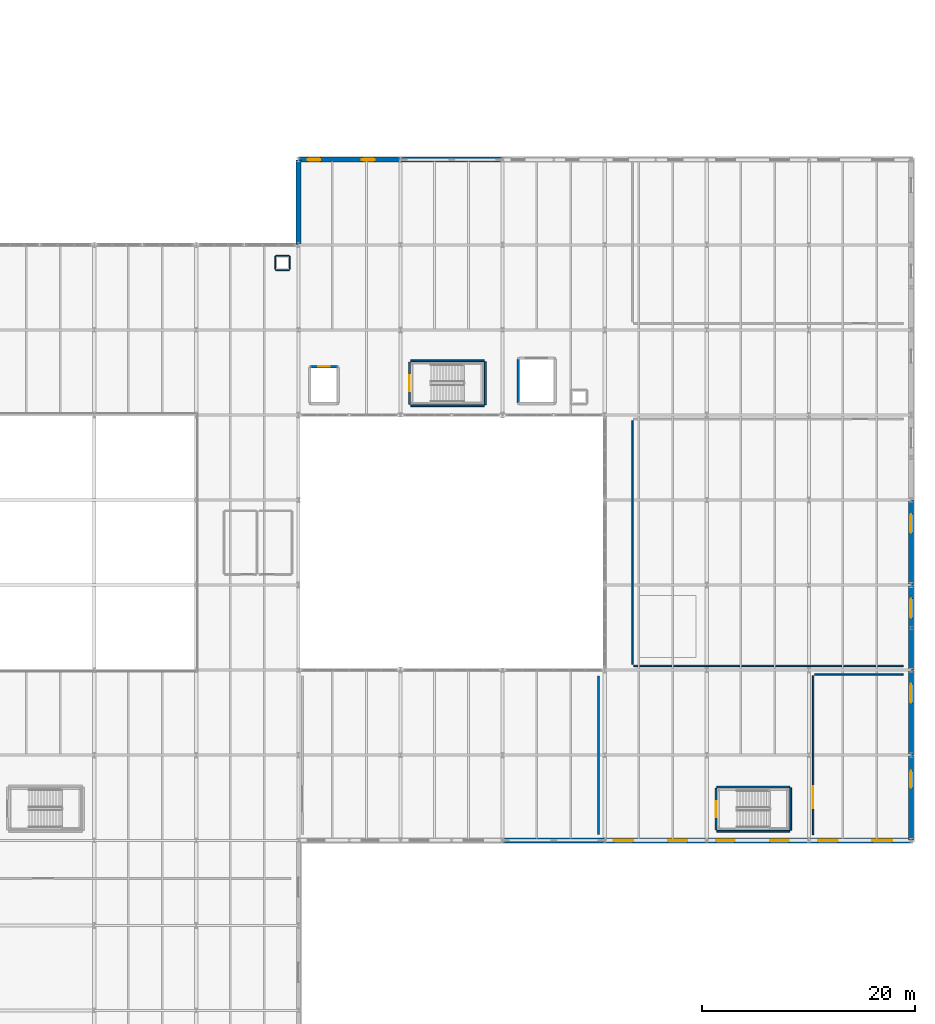
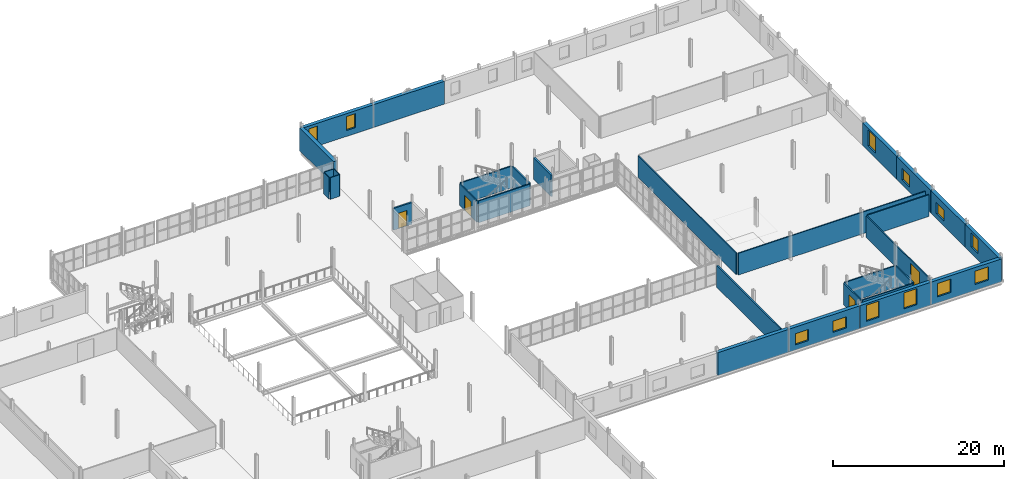
# One storey, part 64 of 78: 30 walls, 12 windows, 4 doors, 16 openings.
"""IFC4 building model written with IfcOpenShell, lengths in metres."""

from ifc_helpers import new_model, si_unit, direction, frame, frame_2d, origin, place, context, subcontext, project, spatial, rectangle, extrude, material, layer, layer_set, type_object, element, fill, save


model = new_model("IFC4")

# Units and contexts
model_context = context("Model", 3, precision=1e-05, world=origin(), true_north=direction((0.0, 1.0)))
body_context = subcontext(model_context, "Body", "Model", "MODEL_VIEW")
ifc_project = project(units=[si_unit("LENGTHUNIT", "METRE"), si_unit("AREAUNIT", "SQUARE_METRE"), si_unit("VOLUMEUNIT", "CUBIC_METRE"), si_unit("PLANEANGLEUNIT", "RADIAN"), si_unit("MASSUNIT", "GRAM", prefix="KILO")], contexts=[model_context])

# Site, building, storey
site_placement = place(None, origin())
site = spatial("IfcSite", under=ifc_project, at=site_placement, CompositionType="ELEMENT")
building_placement = place(site_placement, origin())
building = spatial("IfcBuilding", under=site, at=building_placement, Name="Alderhovde Museum", CompositionType="ELEMENT")
storey_placement = place(building_placement, frame((0.0, 0.0, 4.5)))
storey = spatial("IfcBuildingStorey", under=building, at=storey_placement, Name="L01", CompositionType="ELEMENT", Elevation=4.5)

# Wall
ifc_material_1 = material(Name="Nordic Granite Ashlar on Concrete C35/45", Category="masonry")
ifc_layer_1 = layer(ifc_material_1, 0.47998046875)
ifc_layer_set_1 = layer_set([ifc_layer_1], Name="Nordic Granite Ashlar on Concrete C35/45")
wall_type_1 = type_object("IfcWallType", Name="EW-GRAN-480", PredefinedType="SOLIDWALL", material=ifc_layer_set_1)
wall_1_placement = place(storey_placement, frame((134.419921875, 32.0, 0.0), z_axis=(0.0, 0.0, 1.0), x_axis=(1.0, 0.0, 0.0)))
element("IfcWall", 1, at=wall_1_placement, inside=storey, type_object=wall_type_1, Name="L01 Conservation South Beaux-Arts Wall 196", PredefinedType="SOLIDWALL", context=body_context, shape_type="SweptSolid", body=[
    extrude(rectangle(XDim=9.56005859375, YDim=0.47998046875, at=frame_2d((4.780029296875, 0.0))), origin(), (0.0, 0.0, 1.0), 3.260009765625),
])

# Wall, openings, windows
wall_2_placement = place(storey_placement, frame((144.02001953125, 32.0, 0.0), z_axis=(0.0, 0.0, 1.0), x_axis=(1.0, 0.0, 0.0)))
wall_2 = element("IfcWall", 2, at=wall_2_placement, inside=storey, type_object=wall_type_1, Name="L01 Conservation South Beaux-Arts Wall 197", PredefinedType="SOLIDWALL", context=body_context, shape_type="SweptSolid", body=[
    extrude(rectangle(XDim=9.56005859375, YDim=0.47998046875, at=frame_2d((4.780029296875, 0.0))), origin(), (0.0, 0.0, 1.0), 3.260009765625),
])
opening_1_placement = place(wall_2_placement, frame((0.85009765625, 0.0, 0.719970703125)))
opening_1 = element("IfcOpeningElement", 3, at=opening_1_placement, cuts=wall_2, Name="Opening W13", PredefinedType="OPENING", context=body_context, shape_type="SweptSolid", body=[
    extrude(rectangle(XDim=1.800048828125, YDim=1.60009765625, at=frame_2d((0.89990234375, 0.800048828125))), frame((0.0, 0.25, 0.0), z_axis=(0.0, -1.0, 0.0), x_axis=(1.0, 0.0, 0.0)), (0.0, 0.0, 1.0), 0.5),
])
opening_2_placement = place(wall_2_placement, frame((5.949951171875, 0.0, 0.719970703125)))
opening_2 = element("IfcOpeningElement", 4, at=opening_2_placement, cuts=wall_2, Name="Opening W13", PredefinedType="OPENING", context=body_context, shape_type="SweptSolid", body=[
    extrude(rectangle(XDim=1.800048828125, YDim=1.60009765625, at=frame_2d((0.89990234375, 0.800048828125))), frame((0.0, 0.25, 0.0), z_axis=(0.0, -1.0, 0.0), x_axis=(1.0, 0.0, 0.0)), (0.0, 0.0, 1.0), 0.5),
])
ifc_material_2 = material(Name="Triple-Glazed Low-E Bronze-Anodised Aluminium", Category="aluminium")
window_type_1 = type_object("IfcWindowType", Name="WIN-ATT-1800x1600", PartitioningType="DOUBLE_PANEL_VERTICAL", PredefinedType="WINDOW", material=ifc_material_2)
window_1_placement = place(opening_1_placement, origin())
window_1 = element("IfcWindow", 5, at=window_1_placement, inside=storey, type_object=window_type_1, Name="L01 Facade Window 171", OverallHeight=1.60009765625, OverallWidth=1.800048828125, PartitioningType="SINGLE_PANEL", PredefinedType="WINDOW", context=body_context, shape_type="SweptSolid", body=[
    extrude(rectangle(XDim=1.800048828125, YDim=1.60009765625, at=frame_2d((0.89990234375, 0.800048828125))), frame((0.0, 0.030029296875, 0.0), z_axis=(0.0, -1.0, 0.0), x_axis=(1.0, 0.0, 0.0)), (0.0, 0.0, 1.0), 0.06005859375),
])
fill(opening_1, window_1)
window_2_placement = place(opening_2_placement, origin())
window_2 = element("IfcWindow", 6, at=window_2_placement, inside=storey, type_object=window_type_1, Name="L01 Facade Window 172", OverallHeight=1.60009765625, OverallWidth=1.800048828125, PartitioningType="SINGLE_PANEL", PredefinedType="WINDOW", context=body_context, shape_type="SweptSolid", body=[
    extrude(rectangle(XDim=1.800048828125, YDim=1.60009765625, at=frame_2d((0.89990234375, 0.800048828125))), frame((0.0, 0.030029296875, 0.0), z_axis=(0.0, -1.0, 0.0), x_axis=(1.0, 0.0, 0.0)), (0.0, 0.0, 1.0), 0.06005859375),
])
fill(opening_2, window_2)

wall_3_placement = place(storey_placement, frame((153.6201171875, 32.0, 0.0), z_axis=(0.0, 0.0, 1.0), x_axis=(1.0, 0.0, 0.0)))
wall_3 = element("IfcWall", 7, at=wall_3_placement, inside=storey, type_object=wall_type_1, Name="L01 Conservation South Beaux-Arts Wall 198", PredefinedType="SOLIDWALL", context=body_context, shape_type="SweptSolid", body=[
    extrude(rectangle(XDim=9.559814453125, YDim=0.47998046875, at=frame_2d((4.77978515625, 0.0))), origin(), (0.0, 0.0, 1.0), 3.260009765625),
])
opening_3_placement = place(wall_3_placement, frame((0.85009765625, 0.0, 0.719970703125)))
opening_3 = element("IfcOpeningElement", 8, at=opening_3_placement, cuts=wall_3, Name="Opening W26", PredefinedType="OPENING", context=body_context, shape_type="SweptSolid", body=[
    extrude(rectangle(XDim=1.75, YDim=2.300048828125, at=frame_2d((0.875, 1.14990234375))), frame((0.0, 0.25, 0.0), z_axis=(0.0, -1.0, 0.0), x_axis=(1.0, 0.0, 0.0)), (0.0, 0.0, 1.0), 0.5),
])
opening_4_placement = place(wall_3_placement, frame((5.949951171875, 0.0, 0.719970703125)))
opening_4 = element("IfcOpeningElement", 9, at=opening_4_placement, cuts=wall_3, Name="Opening W26", PredefinedType="OPENING", context=body_context, shape_type="SweptSolid", body=[
    extrude(rectangle(XDim=1.75, YDim=2.300048828125, at=frame_2d((0.875, 1.14990234375))), frame((0.0, 0.25, 0.0), z_axis=(0.0, -1.0, 0.0), x_axis=(1.0, 0.0, 0.0)), (0.0, 0.0, 1.0), 0.5),
])
ifc_material_3 = material(Name="Triple-Glazed Low-E Bronze-Anodised Aluminium", Category="aluminium")
window_type_2 = type_object("IfcWindowType", Name="WIN-BA-1750x2300", PartitioningType="DOUBLE_PANEL_VERTICAL", PredefinedType="WINDOW", material=ifc_material_3)
window_3_placement = place(opening_3_placement, origin())
window_3 = element("IfcWindow", 10, at=window_3_placement, inside=storey, type_object=window_type_2, Name="L01 Facade Window 173", OverallHeight=2.300048828125, OverallWidth=1.75, PartitioningType="SINGLE_PANEL", PredefinedType="WINDOW", context=body_context, shape_type="SweptSolid", body=[
    extrude(rectangle(XDim=1.75, YDim=2.300048828125, at=frame_2d((0.875, 1.14990234375))), frame((0.0, 0.030029296875, 0.0), z_axis=(0.0, -1.0, 0.0), x_axis=(1.0, 0.0, 0.0)), (0.0, 0.0, 1.0), 0.06005859375),
])
fill(opening_3, window_3)
window_4_placement = place(opening_4_placement, origin())
window_4 = element("IfcWindow", 11, at=window_4_placement, inside=storey, type_object=window_type_2, Name="L01 Facade Window 174", OverallHeight=2.300048828125, OverallWidth=1.75, PartitioningType="SINGLE_PANEL", PredefinedType="WINDOW", context=body_context, shape_type="SweptSolid", body=[
    extrude(rectangle(XDim=1.75, YDim=2.300048828125, at=frame_2d((0.875, 1.14990234375))), frame((0.0, 0.030029296875, 0.0), z_axis=(0.0, -1.0, 0.0), x_axis=(1.0, 0.0, 0.0)), (0.0, 0.0, 1.0), 0.06005859375),
])
fill(opening_4, window_4)

wall_4_placement = place(storey_placement, frame((163.219970703125, 32.0, 0.0), z_axis=(0.0, 0.0, 1.0), x_axis=(1.0, 0.0, 0.0)))
wall_4 = element("IfcWall", 12, at=wall_4_placement, inside=storey, type_object=wall_type_1, Name="L01 Conservation South Beaux-Arts Wall 199", PredefinedType="SOLIDWALL", context=body_context, shape_type="SweptSolid", body=[
    extrude(rectangle(XDim=9.56005859375, YDim=0.47998046875, at=frame_2d((4.780029296875, 0.0))), origin(), (0.0, 0.0, 1.0), 3.260009765625),
])
opening_5_placement = place(wall_4_placement, frame((0.85009765625, 0.0, 0.85009765625)))
opening_5 = element("IfcOpeningElement", 13, at=opening_5_placement, cuts=wall_4, Name="Opening W27", PredefinedType="OPENING", context=body_context, shape_type="SweptSolid", body=[
    extrude(rectangle(XDim=1.85009765625, YDim=1.89990234375, at=frame_2d((0.925048828125, 0.949951171875))), frame((0.0, 0.25, 0.0), z_axis=(0.0, -1.0, 0.0), x_axis=(1.0, 0.0, 0.0)), (0.0, 0.0, 1.0), 0.5),
])
opening_6_placement = place(wall_4_placement, frame((5.949951171875, 0.0, 0.85009765625)))
opening_6 = element("IfcOpeningElement", 14, at=opening_6_placement, cuts=wall_4, Name="Opening W27", PredefinedType="OPENING", context=body_context, shape_type="SweptSolid", body=[
    extrude(rectangle(XDim=1.85009765625, YDim=1.89990234375, at=frame_2d((0.925048828125, 0.949951171875))), frame((0.0, 0.25, 0.0), z_axis=(0.0, -1.0, 0.0), x_axis=(1.0, 0.0, 0.0)), (0.0, 0.0, 1.0), 0.5),
])
ifc_material_4 = material(Name="Triple-Glazed Low-E Bronze-Anodised Aluminium", Category="aluminium")
window_type_3 = type_object("IfcWindowType", Name="WIN-LAB-1850x1900", PartitioningType="DOUBLE_PANEL_VERTICAL", PredefinedType="WINDOW", material=ifc_material_4)
window_5_placement = place(opening_5_placement, origin())
window_5 = element("IfcWindow", 15, at=window_5_placement, inside=storey, type_object=window_type_3, Name="L01 Facade Window 175", OverallHeight=1.89990234375, OverallWidth=1.85009765625, PartitioningType="SINGLE_PANEL", PredefinedType="WINDOW", context=body_context, shape_type="SweptSolid", body=[
    extrude(rectangle(XDim=1.85009765625, YDim=1.89990234375, at=frame_2d((0.925048828125, 0.949951171875))), frame((0.0, 0.030029296875, 0.0), z_axis=(0.0, -1.0, 0.0), x_axis=(1.0, 0.0, 0.0)), (0.0, 0.0, 1.0), 0.06005859375),
])
fill(opening_5, window_5)
window_6_placement = place(opening_6_placement, origin())
window_6 = element("IfcWindow", 16, at=window_6_placement, inside=storey, type_object=window_type_3, Name="L01 Facade Window 176", OverallHeight=1.89990234375, OverallWidth=1.85009765625, PartitioningType="SINGLE_PANEL", PredefinedType="WINDOW", context=body_context, shape_type="SweptSolid", body=[
    extrude(rectangle(XDim=1.85009765625, YDim=1.89990234375, at=frame_2d((0.925048828125, 0.949951171875))), frame((0.0, 0.030029296875, 0.0), z_axis=(0.0, -1.0, 0.0), x_axis=(1.0, 0.0, 0.0)), (0.0, 0.0, 1.0), 0.06005859375),
])
fill(opening_6, window_6)

wall_5_placement = place(storey_placement, frame((115.219970703125, 96.0, 0.0), z_axis=(0.0, 0.0, 1.0), x_axis=(1.0, 0.0, 0.0)))
wall_5 = element("IfcWall", 17, at=wall_5_placement, inside=storey, type_object=wall_type_1, Name="L01 Conservation North Beaux-Arts Wall 200", PredefinedType="SOLIDWALL", context=body_context, shape_type="SweptSolid", body=[
    extrude(rectangle(XDim=9.56005859375, YDim=0.47998046875, at=frame_2d((4.780029296875, 0.0))), origin(), (0.0, 0.0, 1.0), 3.260009765625),
])
opening_7_placement = place(wall_5_placement, frame((0.85009765625, 0.0, 0.85009765625)))
opening_7 = element("IfcOpeningElement", 18, at=opening_7_placement, cuts=wall_5, Name="Opening W18", PredefinedType="OPENING", context=body_context, shape_type="SweptSolid", body=[
    extrude(rectangle(XDim=1.199951171875, YDim=2.0, at=frame_2d((0.60009765625, 1.0))), frame((0.0, 0.25, 0.0), z_axis=(0.0, -1.0, 0.0), x_axis=(1.0, 0.0, 0.0)), (0.0, 0.0, 1.0), 0.5),
])
opening_8_placement = place(wall_5_placement, frame((5.949951171875, 0.0, 0.85009765625)))
opening_8 = element("IfcOpeningElement", 19, at=opening_8_placement, cuts=wall_5, Name="Opening W18", PredefinedType="OPENING", context=body_context, shape_type="SweptSolid", body=[
    extrude(rectangle(XDim=1.199951171875, YDim=2.0, at=frame_2d((0.60009765625, 1.0))), frame((0.0, 0.25, 0.0), z_axis=(0.0, -1.0, 0.0), x_axis=(1.0, 0.0, 0.0)), (0.0, 0.0, 1.0), 0.5),
])
ifc_material_5 = material(Name="Triple-Glazed Low-E Bronze-Anodised Aluminium", Category="aluminium")
window_type_4 = type_object("IfcWindowType", Name="WIN-LAB-1200x2000", PartitioningType="SINGLE_PANEL", PredefinedType="WINDOW", material=ifc_material_5)
window_7_placement = place(opening_7_placement, origin())
window_7 = element("IfcWindow", 20, at=window_7_placement, inside=storey, type_object=window_type_4, Name="L01 Facade Window 177", OverallHeight=2.0, OverallWidth=1.199951171875, PartitioningType="SINGLE_PANEL", PredefinedType="WINDOW", context=body_context, shape_type="SweptSolid", body=[
    extrude(rectangle(XDim=1.199951171875, YDim=2.0, at=frame_2d((0.60009765625, 1.0))), frame((0.0, 0.030029296875, 0.0), z_axis=(0.0, -1.0, 0.0), x_axis=(1.0, 0.0, 0.0)), (0.0, 0.0, 1.0), 0.06005859375),
])
fill(opening_7, window_7)
window_8_placement = place(opening_8_placement, origin())
window_8 = element("IfcWindow", 21, at=window_8_placement, inside=storey, type_object=window_type_4, Name="L01 Facade Window 178", OverallHeight=2.0, OverallWidth=1.199951171875, PartitioningType="SINGLE_PANEL", PredefinedType="WINDOW", context=body_context, shape_type="SweptSolid", body=[
    extrude(rectangle(XDim=1.199951171875, YDim=2.0, at=frame_2d((0.60009765625, 1.0))), frame((0.0, 0.030029296875, 0.0), z_axis=(0.0, -1.0, 0.0), x_axis=(1.0, 0.0, 0.0)), (0.0, 0.0, 1.0), 0.06005859375),
])
fill(opening_8, window_8)

# Wall
wall_6_placement = place(storey_placement, frame((124.820068359375, 96.0, 0.0), z_axis=(0.0, 0.0, 1.0), x_axis=(1.0, 0.0, 0.0)))
element("IfcWall", 22, at=wall_6_placement, inside=storey, type_object=wall_type_1, Name="L01 Conservation North Beaux-Arts Wall 201", PredefinedType="SOLIDWALL", context=body_context, shape_type="SweptSolid", body=[
    extrude(rectangle(XDim=9.559814453125, YDim=0.47998046875, at=frame_2d((4.77978515625, 0.0))), origin(), (0.0, 0.0, 1.0), 3.260009765625),
])

# Wall, opening, window
wall_7_placement = place(storey_placement, frame((172.800048828125, 32.02001953125, 0.0), z_axis=(0.0, 0.0, 1.0), x_axis=(0.0, 1.0, 0.0)))
wall_7 = element("IfcWall", 23, at=wall_7_placement, inside=storey, type_object=wall_type_1, Name="L01 Conservation East Hillside Wall 206", PredefinedType="SOLIDWALL", context=body_context, shape_type="SweptSolid", body=[
    extrude(rectangle(XDim=7.9599609375, YDim=0.47998046875, at=frame_2d((3.97998046875, 0.0))), origin(), (0.0, 0.0, 1.0), 3.260009765625),
])
opening_9_placement = place(wall_7_placement, frame((4.89990234375, 0.0, 0.89990234375)))
opening_9 = element("IfcOpeningElement", 24, at=opening_9_placement, cuts=wall_7, Name="Opening W17", PredefinedType="OPENING", context=body_context, shape_type="SweptSolid", body=[
    extrude(rectangle(XDim=1.60009765625, YDim=2.0, at=frame_2d((0.800048828125, 1.0))), frame((0.0, 0.25, 0.0), z_axis=(0.0, -1.0, 0.0), x_axis=(1.0, 0.0, 0.0)), (0.0, 0.0, 1.0), 0.5),
])
ifc_material_6 = material(Name="Triple-Glazed Low-E Bronze-Anodised Aluminium", Category="aluminium")
window_type_5 = type_object("IfcWindowType", Name="WIN-LAB-1600x2000", PartitioningType="DOUBLE_PANEL_VERTICAL", PredefinedType="WINDOW", material=ifc_material_6)
window_9_placement = place(opening_9_placement, origin())
window_9 = element("IfcWindow", 25, at=window_9_placement, inside=storey, type_object=window_type_5, Name="L01 Facade Window 187", OverallHeight=2.0, OverallWidth=1.60009765625, PartitioningType="SINGLE_PANEL", PredefinedType="WINDOW", context=body_context, shape_type="SweptSolid", body=[
    extrude(rectangle(XDim=1.60009765625, YDim=2.0, at=frame_2d((0.800048828125, 1.0))), frame((0.0, 0.030029296875, 0.0), z_axis=(0.0, -1.0, 0.0), x_axis=(1.0, 0.0, 0.0)), (0.0, 0.0, 1.0), 0.06005859375),
])
fill(opening_9, window_9)

wall_8_placement = place(storey_placement, frame((172.800048828125, 40.02001953125, 0.0), z_axis=(0.0, 0.0, 1.0), x_axis=(0.0, 1.0, 0.0)))
wall_8 = element("IfcWall", 26, at=wall_8_placement, inside=storey, type_object=wall_type_1, Name="L01 Conservation East Hillside Wall 207", PredefinedType="SOLIDWALL", context=body_context, shape_type="SweptSolid", body=[
    extrude(rectangle(XDim=7.9599609375, YDim=0.47998046875, at=frame_2d((3.97998046875, 0.0))), origin(), (0.0, 0.0, 1.0), 3.260009765625),
])
opening_10_placement = place(wall_8_placement, frame((4.89990234375, 0.0, 0.719970703125)))
opening_10 = element("IfcOpeningElement", 27, at=opening_10_placement, cuts=wall_8, Name="Opening W13", PredefinedType="OPENING", context=body_context, shape_type="SweptSolid", body=[
    extrude(rectangle(XDim=1.800048828125, YDim=1.60009765625, at=frame_2d((0.89990234375, 0.800048828125))), frame((0.0, 0.25, 0.0), z_axis=(0.0, -1.0, 0.0), x_axis=(1.0, 0.0, 0.0)), (0.0, 0.0, 1.0), 0.5),
])
window_10_placement = place(opening_10_placement, origin())
window_10 = element("IfcWindow", 28, at=window_10_placement, inside=storey, type_object=window_type_1, Name="L01 Facade Window 188", OverallHeight=1.60009765625, OverallWidth=1.800048828125, PartitioningType="SINGLE_PANEL", PredefinedType="WINDOW", context=body_context, shape_type="SweptSolid", body=[
    extrude(rectangle(XDim=1.800048828125, YDim=1.60009765625, at=frame_2d((0.89990234375, 0.800048828125))), frame((0.0, 0.030029296875, 0.0), z_axis=(0.0, -1.0, 0.0), x_axis=(1.0, 0.0, 0.0)), (0.0, 0.0, 1.0), 0.06005859375),
])
fill(opening_10, window_10)

wall_9_placement = place(storey_placement, frame((172.800048828125, 48.02001953125, 0.0), z_axis=(0.0, 0.0, 1.0), x_axis=(0.0, 1.0, 0.0)))
wall_9 = element("IfcWall", 29, at=wall_9_placement, inside=storey, type_object=wall_type_1, Name="L01 Conservation East Hillside Wall 208", PredefinedType="SOLIDWALL", context=body_context, shape_type="SweptSolid", body=[
    extrude(rectangle(XDim=7.9599609375, YDim=0.47998046875, at=frame_2d((3.97998046875, 0.0))), origin(), (0.0, 0.0, 1.0), 3.260009765625),
])
opening_11_placement = place(wall_9_placement, frame((4.89990234375, 0.0, 0.719970703125)))
opening_11 = element("IfcOpeningElement", 30, at=opening_11_placement, cuts=wall_9, Name="Opening W13", PredefinedType="OPENING", context=body_context, shape_type="SweptSolid", body=[
    extrude(rectangle(XDim=1.800048828125, YDim=1.60009765625, at=frame_2d((0.89990234375, 0.800048828125))), frame((0.0, 0.25, 0.0), z_axis=(0.0, -1.0, 0.0), x_axis=(1.0, 0.0, 0.0)), (0.0, 0.0, 1.0), 0.5),
])
window_11_placement = place(opening_11_placement, origin())
window_11 = element("IfcWindow", 31, at=window_11_placement, inside=storey, type_object=window_type_1, Name="L01 Facade Window 189", OverallHeight=1.60009765625, OverallWidth=1.800048828125, PartitioningType="SINGLE_PANEL", PredefinedType="WINDOW", context=body_context, shape_type="SweptSolid", body=[
    extrude(rectangle(XDim=1.800048828125, YDim=1.60009765625, at=frame_2d((0.89990234375, 0.800048828125))), frame((0.0, 0.030029296875, 0.0), z_axis=(0.0, -1.0, 0.0), x_axis=(1.0, 0.0, 0.0)), (0.0, 0.0, 1.0), 0.06005859375),
])
fill(opening_11, window_11)

wall_10_placement = place(storey_placement, frame((172.800048828125, 56.02001953125, 0.0), z_axis=(0.0, 0.0, 1.0), x_axis=(0.0, 1.0, 0.0)))
wall_10 = element("IfcWall", 32, at=wall_10_placement, inside=storey, type_object=wall_type_1, Name="L01 Conservation East Hillside Wall 209", PredefinedType="SOLIDWALL", context=body_context, shape_type="SweptSolid", body=[
    extrude(rectangle(XDim=7.9599609375, YDim=0.47998046875, at=frame_2d((3.97998046875, 0.0))), origin(), (0.0, 0.0, 1.0), 3.260009765625),
])
opening_12_placement = place(wall_10_placement, frame((4.89990234375, 0.0, 0.719970703125)))
opening_12 = element("IfcOpeningElement", 33, at=opening_12_placement, cuts=wall_10, Name="Opening W26", PredefinedType="OPENING", context=body_context, shape_type="SweptSolid", body=[
    extrude(rectangle(XDim=1.75, YDim=2.300048828125, at=frame_2d((0.875, 1.14990234375))), frame((0.0, 0.25, 0.0), z_axis=(0.0, -1.0, 0.0), x_axis=(1.0, 0.0, 0.0)), (0.0, 0.0, 1.0), 0.5),
])
window_12_placement = place(opening_12_placement, origin())
window_12 = element("IfcWindow", 34, at=window_12_placement, inside=storey, type_object=window_type_2, Name="L01 Facade Window 190", OverallHeight=2.300048828125, OverallWidth=1.75, PartitioningType="SINGLE_PANEL", PredefinedType="WINDOW", context=body_context, shape_type="SweptSolid", body=[
    extrude(rectangle(XDim=1.75, YDim=2.300048828125, at=frame_2d((0.875, 1.14990234375))), frame((0.0, 0.030029296875, 0.0), z_axis=(0.0, -1.0, 0.0), x_axis=(1.0, 0.0, 0.0)), (0.0, 0.0, 1.0), 0.06005859375),
])
fill(opening_12, window_12)

# Walls
wall_11_placement = place(storey_placement, frame((115.199951171875, 88.02001953125, 0.0), z_axis=(0.0, 0.0, 1.0), x_axis=(0.0, 1.0, 0.0)))
element("IfcWall", 35, at=wall_11_placement, inside=storey, type_object=wall_type_1, Name="L01 Conservation West Return Wall 214", PredefinedType="SOLIDWALL", context=body_context, shape_type="SweptSolid", body=[
    extrude(rectangle(XDim=7.9599609375, YDim=0.47998046875, at=frame_2d((3.97998046875, 0.0))), origin(), (0.0, 0.0, 1.0), 3.260009765625),
])
ifc_material_7 = material(Name="Fire-Resisting Twin-Stud Compartment Wall")
ifc_layer_2 = layer(ifc_material_7, 0.18994140625)
ifc_layer_set_2 = layer_set([ifc_layer_2], Name="Fire-Resisting Twin-Stud Compartment Wall")
wall_type_2 = type_object("IfcWallType", Name="IW-FIRE-190", PredefinedType="SOLIDWALL", material=ifc_layer_set_2)
wall_12_placement = place(storey_placement, frame((143.39990234375, 32.5400390625, 0.0), z_axis=(0.0, 0.0, 1.0), x_axis=(0.0, 1.0, 0.0)))
element("IfcWall", 36, at=wall_12_placement, inside=storey, type_object=wall_type_2, Name="L01 Artwork Unpacking and Crating Hall Partition Wall E", PredefinedType="SOLIDWALL", context=body_context, shape_type="SweptSolid", body=[
    extrude(rectangle(XDim=14.919921875, YDim=0.18994140625, at=frame_2d((7.4599609375, 0.0))), origin(), (0.0, 0.0, 1.0), 3.10009765625),
])
ifc_material_8 = material(Name="Plywood-Backed Gallery Display Partition", Category="wood")
ifc_layer_3 = layer(ifc_material_8, 0.14990234375)
ifc_layer_set_3 = layer_set([ifc_layer_3], Name="Plywood-Backed Gallery Display Partition")
wall_type_3 = type_object("IfcWallType", Name="IW-GAL-150", PredefinedType="PARTITIONING", material=ifc_layer_set_3)
wall_13_placement = place(storey_placement, frame((163.739990234375, 47.60009765625, 0.0), z_axis=(0.0, 0.0, 1.0), x_axis=(1.0, 0.0, 0.0)))
element("IfcWall", 37, at=wall_13_placement, inside=storey, type_object=wall_type_3, Name="L01 Decorative Arts Study Gallery Partition Wall N", PredefinedType="PARTITIONING", context=body_context, shape_type="SweptSolid", body=[
    extrude(rectangle(XDim=8.320068359375, YDim=0.14990234375, at=frame_2d((4.16015625, 0.0))), origin(), (0.0, 0.0, 1.0), 3.10009765625),
])

# Wall, opening, door
wall_14_placement = place(storey_placement, frame((163.60009765625, 32.5400390625, 0.0), z_axis=(0.0, 0.0, 1.0), x_axis=(0.0, 1.0, 0.0)))
wall_14 = element("IfcWall", 38, at=wall_14_placement, inside=storey, type_object=wall_type_3, Name="L01 Decorative Arts Study Gallery Partition Wall W", PredefinedType="PARTITIONING", context=body_context, shape_type="SweptSolid", body=[
    extrude(rectangle(XDim=14.919921875, YDim=0.14990234375, at=frame_2d((7.4599609375, 0.0))), origin(), (0.0, 0.0, 1.0), 3.10009765625),
])
opening_13_placement = place(wall_14_placement, frame((2.450927734375, 0.0, 0.0)))
opening_13 = element("IfcOpeningElement", 39, at=opening_13_placement, cuts=wall_14, Name="Opening D11", PredefinedType="OPENING", context=body_context, shape_type="SweptSolid", body=[
    extrude(rectangle(XDim=2.10009765625, YDim=2.64990234375, at=frame_2d((1.050048828125, 1.324951171875))), frame((0.0, 0.0849609375, 0.0), z_axis=(0.0, -1.0, 0.0), x_axis=(1.0, 0.0, 0.0)), (0.0, 0.0, 1.0), 0.169921875),
])
ifc_material_9 = material(Name="Sculpture Hall Double Door (Steel/Oak)", Category="steel")
door_type_1 = type_object("IfcDoorType", Name="ID-GAL-2100x2650", OperationType="NOTDEFINED", PredefinedType="DOOR", material=ifc_material_9)
door_1_placement = place(opening_13_placement, origin())
door_1 = element("IfcDoor", 40, at=door_1_placement, inside=storey, type_object=door_type_1, Name="L01 Decorative Arts Study Gallery Door", OperationType="DOUBLE_DOOR_SINGLE_SWING", OverallHeight=2.64990234375, OverallWidth=2.10009765625, PredefinedType="DOOR", context=body_context, shape_type="SweptSolid", body=[
    extrude(rectangle(XDim=2.10009765625, YDim=2.64990234375, at=frame_2d((1.050048828125, 1.324951171875))), frame((0.0, 0.02490234375, 0.0), z_axis=(0.0, -1.0, 0.0), x_axis=(1.0, 0.0, 0.0)), (0.0, 0.0, 1.0), 0.050048828125),
])
fill(opening_13, door_1)

# Walls
ifc_material_10 = material(Name="Hygienic Conservation Laboratory Partition")
ifc_layer_4 = layer(ifc_material_10, 0.139892578125)
ifc_layer_set_4 = layer_set([ifc_layer_4], Name="Hygienic Conservation Laboratory Partition")
wall_type_4 = type_object("IfcWallType", Name="IW-LAB-140", PredefinedType="PARTITIONING", material=ifc_layer_set_4)
wall_15_placement = place(storey_placement, frame((146.739990234375, 48.39990234375, 0.0), z_axis=(0.0, 0.0, 1.0), x_axis=(1.0, 0.0, 0.0)))
element("IfcWall", 41, at=wall_15_placement, inside=storey, type_object=wall_type_4, Name="L01 Wet Conservation Laboratory Partition Wall S", PredefinedType="PARTITIONING", context=body_context, shape_type="SweptSolid", body=[
    extrude(rectangle(XDim=25.320068359375, YDim=0.139892578125, at=frame_2d((12.66015625, 0.0))), origin(), (0.0, 0.0, 1.0), 3.10009765625),
])
wall_16_placement = place(storey_placement, frame((146.60009765625, 48.5400390625, 0.0), z_axis=(0.0, 0.0, 1.0), x_axis=(0.0, 1.0, 0.0)))
element("IfcWall", 42, at=wall_16_placement, inside=storey, type_object=wall_type_4, Name="L01 Wet Conservation Laboratory Partition Wall W", PredefinedType="PARTITIONING", context=body_context, shape_type="SweptSolid", body=[
    extrude(rectangle(XDim=22.919921875, YDim=0.139892578125, at=frame_2d((11.4599609375, 0.0))), origin(), (0.0, 0.0, 1.0), 3.10009765625),
])
ifc_material_11 = material(Name="Acoustic Service Riser Lining Wall")
ifc_layer_5 = layer(ifc_material_11, 0.10009765625)
ifc_layer_set_5 = layer_set([ifc_layer_5], Name="Acoustic Service Riser Lining Wall")
wall_type_5 = type_object("IfcWallType", Name="IW-LIN-100", PredefinedType="PARTITIONING", material=ifc_layer_set_5)
for number, where, z_axis, x_axis, name in (
    (43, (113.080078125, 86.97998046875, 0.0), (0.0, 0.0, 1.0), (1.0, 0.0, 0.0), "L01 Service Riser RSR-V2 Shaft Wall N"),
    (44, (113.080078125, 85.6201171875, 0.0), (0.0, 0.0, 1.0), (1.0, 0.0, 0.0), "L01 Service Riser RSR-V2 Shaft Wall S"),
    (45, (113.02001953125, 85.679931640625, 0.0), (0.0, 0.0, 1.0), (0.0, 1.0, 0.0), "L01 Service Riser RSR-V2 Shaft Wall W"),
    (46, (114.3798828125, 85.679931640625, 0.0), (0.0, 0.0, 1.0), (0.0, 1.0, 0.0), "L01 Service Riser RSR-V2 Shaft Wall E"),
):
    element("IfcWall", number, at=place(storey_placement, frame(where, z_axis=z_axis, x_axis=x_axis)), inside=storey, type_object=wall_type_5, Name=name, PredefinedType="PARTITIONING", context=body_context, shape_type="SweptSolid", body=[
        extrude(rectangle(XDim=1.239990234375, YDim=0.10009765625, at=frame_2d((0.6201171875, 0.0))), origin(), (0.0, 0.0, 1.0), 3.10009765625),
    ])

# Wall, opening, door
ifc_material_12 = material(Name="Concrete C40/50 and Fireboard Shaft Wall", Category="concrete")
ifc_layer_6 = layer(ifc_material_12, 0.22998046875)
ifc_layer_set_6 = layer_set([ifc_layer_6], Name="Concrete C40/50 and Fireboard Shaft Wall")
wall_type_6 = type_object("IfcWallType", Name="IW-SHAFT-230", PredefinedType="SOLIDWALL", material=ifc_layer_set_6)
wall_17_placement = place(storey_placement, frame((116.340087890625, 76.5400390625, 0.0), z_axis=(0.0, 0.0, 1.0), x_axis=(1.0, 0.0, 0.0)))
wall_17 = element("IfcWall", 47, at=wall_17_placement, inside=storey, type_object=wall_type_6, Name="L01 Passenger Lift PL-03 Shaft Wall North", PredefinedType="SOLIDWALL", context=body_context, shape_type="SweptSolid", body=[
    extrude(rectangle(XDim=2.52001953125, YDim=0.22998046875, at=frame_2d((1.260009765625, 0.0))), origin(), (0.0, 0.0, 1.0), 3.10009765625),
])
opening_14_placement = place(wall_17_placement, frame((0.7099609375, 0.0, 0.0)))
opening_14 = element("IfcOpeningElement", 48, at=opening_14_placement, cuts=wall_17, Name="Opening LD-1", PredefinedType="OPENING", context=body_context, shape_type="SweptSolid", body=[
    extrude(rectangle(XDim=1.10009765625, YDim=2.199951171875, at=frame_2d((0.550048828125, 1.10009765625))), frame((0.0, 0.125, 0.0), z_axis=(0.0, -1.0, 0.0), x_axis=(1.0, 0.0, 0.0)), (0.0, 0.0, 1.0), 0.25),
])
ifc_material_13 = material(Name="Passenger Lift Sliding Landing Door (Steel/Oak)", Category="steel")
door_type_2 = type_object("IfcDoorType", Name="LD-PASS-1100x2200", OperationType="SLIDING_TO_LEFT", PredefinedType="DOOR", material=ifc_material_13)
door_2_placement = place(opening_14_placement, origin())
door_2 = element("IfcDoor", 49, at=door_2_placement, inside=storey, type_object=door_type_2, Name="L01 Passenger Lift PL-03 Landing Door", OperationType="SLIDING_TO_LEFT", OverallHeight=2.199951171875, OverallWidth=1.10009765625, PredefinedType="DOOR", context=body_context, shape_type="SweptSolid", body=[
    extrude(rectangle(XDim=1.10009765625, YDim=2.199951171875, at=frame_2d((0.550048828125, 1.10009765625))), frame((0.0, 0.02490234375, 0.0), z_axis=(0.0, -1.0, 0.0), x_axis=(1.0, 0.0, 0.0)), (0.0, 0.0, 1.0), 0.050048828125),
])
fill(opening_14, door_2)

# Wall
wall_18_placement = place(storey_placement, frame((135.860107421875, 73.139892578125, 0.0), z_axis=(0.0, 0.0, 1.0), x_axis=(0.0, 1.0, 0.0)))
element("IfcWall", 50, at=wall_18_placement, inside=storey, type_object=wall_type_6, Name="L01 Goods Lift Shaft Wall West", PredefinedType="SOLIDWALL", context=body_context, shape_type="SweptSolid", body=[
    extrude(rectangle(XDim=4.1201171875, YDim=0.22998046875, at=frame_2d((2.06005859375, 0.0))), origin(), (0.0, 0.0, 1.0), 3.10009765625),
])

# Wall, opening, door
ifc_material_14 = material(Name="Fire-Resisting Stair Lobby Wall")
ifc_layer_7 = layer(ifc_material_14, 0.169921875)
ifc_layer_set_7 = layer_set([ifc_layer_7], Name="Fire-Resisting Stair Lobby Wall")
wall_type_7 = type_object("IfcWallType", Name="IW-STAIR-170", PredefinedType="SOLIDWALL", material=ifc_layer_set_7)
wall_19_placement = place(storey_placement, frame((125.659912109375, 72.9599609375, 0.0), z_axis=(0.0, 0.0, 1.0), x_axis=(0.0, 1.0, 0.0)))
wall_19 = element("IfcWall", 51, at=wall_19_placement, inside=storey, type_object=wall_type_7, Name="L01 Escape Stair ST4 Fire Wall W", PredefinedType="SOLIDWALL", context=body_context, shape_type="SweptSolid", body=[
    extrude(rectangle(XDim=4.0400390625, YDim=0.169921875, at=frame_2d((2.02001953125, 0.0))), origin(), (0.0, 0.0, 1.0), 3.10009765625),
])
opening_15_placement = place(wall_19_placement, frame((1.27001953125, 0.0, 0.0)))
opening_15 = element("IfcOpeningElement", 52, at=opening_15_placement, cuts=wall_19, Name="Opening FD-1", PredefinedType="OPENING", context=body_context, shape_type="SweptSolid", body=[
    extrude(rectangle(XDim=1.5, YDim=2.199951171875, at=frame_2d((0.75, 1.10009765625))), frame((0.0, 0.094970703125, 0.0), z_axis=(0.0, -1.0, 0.0), x_axis=(1.0, 0.0, 0.0)), (0.0, 0.0, 1.0), 0.18994140625),
])
ifc_material_15 = material(Name="Fire-Rated Steel Stair Escape Door (Steel/Oak)", Category="steel")
door_type_3 = type_object("IfcDoorType", Name="FD-STAIR-1500x2200", OperationType="NOTDEFINED", PredefinedType="DOOR", material=ifc_material_15)
door_3_placement = place(opening_15_placement, origin())
door_3 = element("IfcDoor", 53, at=door_3_placement, inside=storey, type_object=door_type_3, Name="L01 Escape Stair ST4 Fire Door", OperationType="SINGLE_SWING_RIGHT", OverallHeight=2.199951171875, OverallWidth=1.5, PredefinedType="DOOR", context=body_context, shape_type="SweptSolid", body=[
    extrude(rectangle(XDim=1.5, YDim=2.199951171875, at=frame_2d((0.75, 1.10009765625))), frame((0.0, 0.02490234375, 0.0), z_axis=(0.0, -1.0, 0.0), x_axis=(1.0, 0.0, 0.0)), (0.0, 0.0, 1.0), 0.050048828125),
])
fill(opening_15, door_3)

# Walls
wall_20_placement = place(storey_placement, frame((132.780029296875, 72.9599609375, 0.0), z_axis=(0.0, 0.0, 1.0), x_axis=(0.0, 1.0, 0.0)))
element("IfcWall", 54, at=wall_20_placement, inside=storey, type_object=wall_type_7, Name="L01 Escape Stair ST4 Fire Wall E", PredefinedType="SOLIDWALL", context=body_context, shape_type="SweptSolid", body=[
    extrude(rectangle(XDim=4.0400390625, YDim=0.169921875, at=frame_2d((2.02001953125, 0.0))), origin(), (0.0, 0.0, 1.0), 3.10009765625),
])
for number, where, z_axis, x_axis, name in (
    (55, (125.760009765625, 72.860107421875, 0.0), (0.0, 0.0, 1.0), (1.0, 0.0, 0.0), "L01 Escape Stair ST4 Fire Wall S"),
    (56, (125.760009765625, 77.10009765625, 0.0), (0.0, 0.0, 1.0), (1.0, 0.0, 0.0), "L01 Escape Stair ST4 Fire Wall N"),
):
    element("IfcWall", number, at=place(storey_placement, frame(where, z_axis=z_axis, x_axis=x_axis)), inside=storey, type_object=wall_type_7, Name=name, PredefinedType="SOLIDWALL", context=body_context, shape_type="SweptSolid", body=[
        extrude(rectangle(XDim=6.919921875, YDim=0.169921875, at=frame_2d((3.4599609375, 0.0))), origin(), (0.0, 0.0, 1.0), 3.10009765625),
    ])

# Wall, opening, door
wall_21_placement = place(storey_placement, frame((154.4599609375, 32.9599609375, 0.0), z_axis=(0.0, 0.0, 1.0), x_axis=(0.0, 1.0, 0.0)))
wall_21 = element("IfcWall", 57, at=wall_21_placement, inside=storey, type_object=wall_type_7, Name="L01 Escape Stair ST7 Fire Wall W", PredefinedType="SOLIDWALL", context=body_context, shape_type="SweptSolid", body=[
    extrude(rectangle(XDim=3.9599609375, YDim=0.169921875, at=frame_2d((1.97998046875, 0.0))), origin(), (0.0, 0.0, 1.0), 3.10009765625),
])
opening_16_placement = place(wall_21_placement, frame((1.22998046875, 0.0, 0.0)))
opening_16 = element("IfcOpeningElement", 58, at=opening_16_placement, cuts=wall_21, Name="Opening FD-1", PredefinedType="OPENING", context=body_context, shape_type="SweptSolid", body=[
    extrude(rectangle(XDim=1.5, YDim=2.199951171875, at=frame_2d((0.75, 1.10009765625))), frame((0.0, 0.094970703125, 0.0), z_axis=(0.0, -1.0, 0.0), x_axis=(1.0, 0.0, 0.0)), (0.0, 0.0, 1.0), 0.18994140625),
])
door_4_placement = place(opening_16_placement, origin())
door_4 = element("IfcDoor", 59, at=door_4_placement, inside=storey, type_object=door_type_3, Name="L01 Escape Stair ST7 Fire Door", OperationType="SINGLE_SWING_LEFT", OverallHeight=2.199951171875, OverallWidth=1.5, PredefinedType="DOOR", context=body_context, shape_type="SweptSolid", body=[
    extrude(rectangle(XDim=1.5, YDim=2.199951171875, at=frame_2d((0.75, 1.10009765625))), frame((0.0, 0.02490234375, 0.0), z_axis=(0.0, -1.0, 0.0), x_axis=(1.0, 0.0, 0.0)), (0.0, 0.0, 1.0), 0.050048828125),
])
fill(opening_16, door_4)

# Walls
wall_22_placement = place(storey_placement, frame((161.5, 32.9599609375, 0.0), z_axis=(0.0, 0.0, 1.0), x_axis=(0.0, 1.0, 0.0)))
element("IfcWall", 60, at=wall_22_placement, inside=storey, type_object=wall_type_7, Name="L01 Escape Stair ST7 Fire Wall E", PredefinedType="SOLIDWALL", context=body_context, shape_type="SweptSolid", body=[
    extrude(rectangle(XDim=3.9599609375, YDim=0.169921875, at=frame_2d((1.97998046875, 0.0))), origin(), (0.0, 0.0, 1.0), 3.10009765625),
])
for number, where, z_axis, x_axis, name in (
    (61, (154.56005859375, 32.860107421875, 0.0), (0.0, 0.0, 1.0), (1.0, 0.0, 0.0), "L01 Escape Stair ST7 Fire Wall S"),
    (62, (154.56005859375, 37.02001953125, 0.0), (0.0, 0.0, 1.0), (1.0, 0.0, 0.0), "L01 Escape Stair ST7 Fire Wall N"),
):
    element("IfcWall", number, at=place(storey_placement, frame(where, z_axis=z_axis, x_axis=x_axis)), inside=storey, type_object=wall_type_7, Name=name, PredefinedType="SOLIDWALL", context=body_context, shape_type="SweptSolid", body=[
        extrude(rectangle(XDim=6.83984375, YDim=0.169921875, at=frame_2d((3.419921875, 0.0))), origin(), (0.0, 0.0, 1.0), 3.10009765625),
    ])

save(model, "model.ifc")
